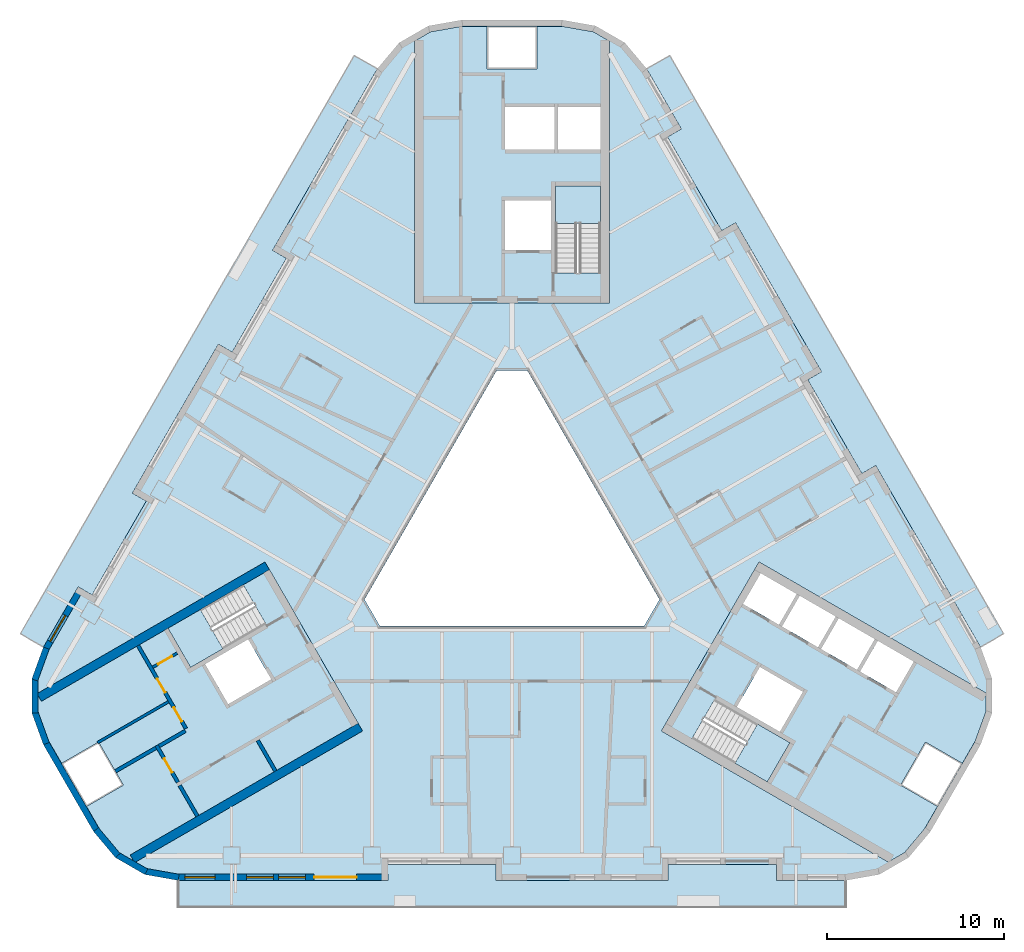
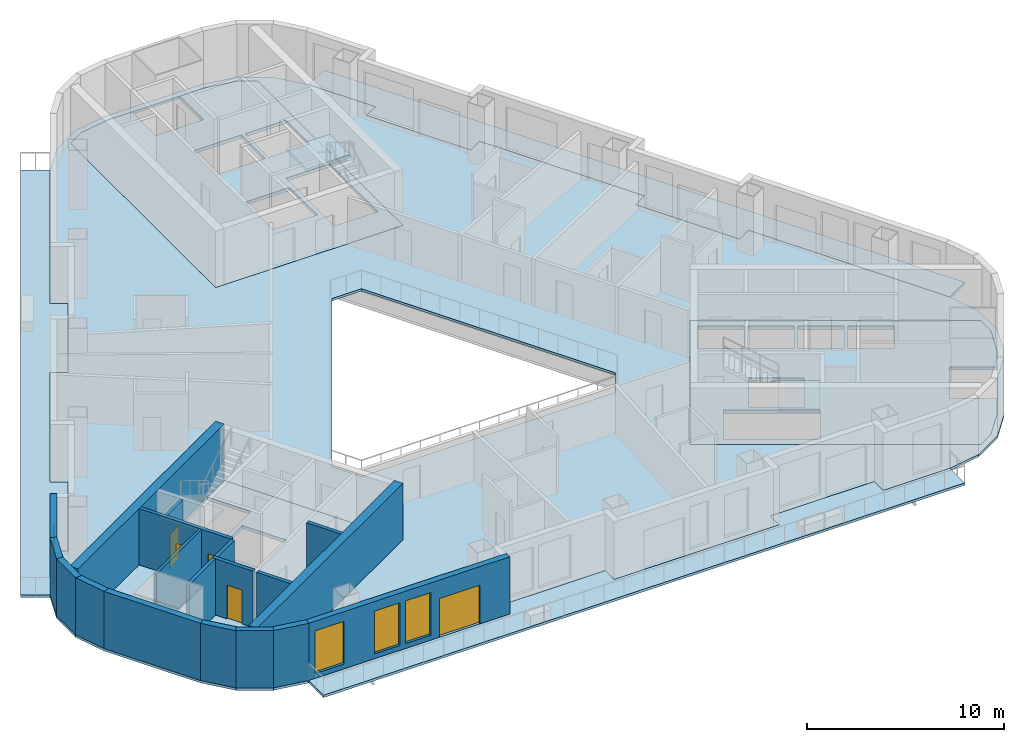
# One storey, part 2 of 13: 19 walls, 10 slabs, 5 doors, 4 windows, 9 openings, 3 elements without a shape of their own.
"""IFC4 building model written with IfcOpenShell, lengths in metres."""

import ifcopenshell
import ifcopenshell.guid

model = None  # the IFC model being written
_history = None  # IfcOwnerHistory: only IFC2X3 demands one
_inside = {}  # id of a spatial element -> (the spatial element, [elements in it])
_under = {}  # id of a project, library or spatial element -> (it, [spatial elements below it])
_declared = {}  # id of a project -> (the project, [libraries it declares])
_typed = {}  # id of a type object -> (the type object, [elements of that type])
_made_of = {}  # id of a material, layer set ... -> (it, [elements and type objects made of it])


def new_model(schema):
    """Start an empty IFC model of exactly this schema.

    Asked for "IFC4X3", IfcOpenShell would pick the latest addendum, in which some entities
    have other attributes; the version numbers below select the first issue.
    IFC2X3 requires an IfcOwnerHistory on every rooted entity: one is made here for all.
    """
    global model, _history
    if schema == "IFC4X3":
        model = ifcopenshell.file(schema_version=(4, 3, 0, 0))
    else:
        model = ifcopenshell.file(schema=schema)
    _inside.clear()
    _under.clear()
    _declared.clear()
    _typed.clear()
    _made_of.clear()
    _history = None
    if model.schema == "IFC2X3":
        org = make("IfcOrganization", Name="unknown")
        user = make(
            "IfcPersonAndOrganization",
            ThePerson=make("IfcPerson", FamilyName="unknown"),
            TheOrganization=org,
        )
        app = make(
            "IfcApplication",
            ApplicationDeveloper=org,
            Version="unknown",
            ApplicationFullName="unknown",
            ApplicationIdentifier="unknown",
        )
        _history = make(
            "IfcOwnerHistory",
            OwningUser=user,
            OwningApplication=app,
            ChangeAction="ADDED",
            CreationDate=0,
        )
    return model


def make(cls, **values):
    """One entity of the class cls with the attributes given. An attribute that is None is left unset."""
    return model.create_entity(
        cls, **{name: value for name, value in values.items() if value is not None}
    )


def rooted(cls, **values):
    """An entity with a GlobalId (a new one), such as an element, a storey or a relation."""
    return make(cls, GlobalId=ifcopenshell.guid.new(), OwnerHistory=_history, **values)


def si_unit(unit_type, name, prefix=None):
    """IfcSIUnit, for example si_unit("LENGTHUNIT", "METRE", prefix="MILLI")."""
    return make("IfcSIUnit", UnitType=unit_type, Prefix=prefix, Name=name)


def assignment(units):
    """IfcUnitAssignment: the units of a project."""
    return None if units is None else make("IfcUnitAssignment", Units=units)


def point(xyz):
    """IfcCartesianPoint."""
    return None if xyz is None else make("IfcCartesianPoint", Coordinates=xyz)


def direction(xyz):
    """IfcDirection."""
    return None if xyz is None else make("IfcDirection", DirectionRatios=xyz)


def frame(location, z_axis=None, x_axis=None):
    """IfcAxis2Placement3D, a coordinate frame: its origin and axes. An axis left out is left unset."""
    return make(
        "IfcAxis2Placement3D",
        Location=point(location),
        Axis=direction(z_axis),
        RefDirection=direction(x_axis),
    )


def frame_2d(location, x_axis=None):
    """IfcAxis2Placement2D, a coordinate frame in the plane: its origin and x axis."""
    return make(
        "IfcAxis2Placement2D", Location=point(location), RefDirection=direction(x_axis)
    )


def origin():
    """The frame at (0, 0, 0) with its axes left unset."""
    return frame((0.0, 0.0, 0.0))


def place(relative_to, where):
    """IfcLocalPlacement: puts the frame where relative to a parent placement (None: the world)."""
    return make(
        "IfcLocalPlacement", PlacementRelTo=relative_to, RelativePlacement=where
    )


def context(
    kind, dimensions, precision=None, world=None, true_north=None, identifier=None
):
    """IfcGeometricRepresentationContext, for example the 3D "Model" context."""
    return make(
        "IfcGeometricRepresentationContext",
        ContextIdentifier=identifier,
        ContextType=kind,
        CoordinateSpaceDimension=dimensions,
        Precision=precision,
        WorldCoordinateSystem=world,
        TrueNorth=true_north,
    )


def subcontext(parent, identifier, kind, view, scale=None):
    """IfcGeometricRepresentationSubContext, for example "Body" below "Model"."""
    return make(
        "IfcGeometricRepresentationSubContext",
        ContextIdentifier=identifier,
        ContextType=kind,
        ParentContext=parent,
        TargetScale=scale,
        TargetView=view,
    )


def project(units=None, contexts=None):
    """IfcProject with its units and contexts."""
    return rooted(
        "IfcProject",
        Name="project",
        RepresentationContexts=contexts,
        UnitsInContext=assignment(units),
    )


def spatial(cls, under=None, at=None, **own):
    """A site, building, storey or space (cls), placed at a placement, below another one or the project."""
    s = rooted(cls, ObjectPlacement=at, **own)
    if under is not None:
        _under.setdefault(under.id(), (under, []))[1].append(s)
    return s


def polyline(points):
    """IfcPolyline through the points."""
    return make("IfcPolyline", Points=[point(p) for p in points])


def profile(cls, at=None, kind="AREA", **sizes):
    """A parametric profile (cls). Its sizes go by their IFC names, for example OverallWidth=200.0."""
    return make(cls, ProfileType=kind, Position=at, **sizes)


def rectangle(**sizes):
    """IfcRectangleProfileDef."""
    return profile("IfcRectangleProfileDef", **sizes)


def outline(outer, holes=None, kind="AREA"):
    """IfcArbitraryClosedProfileDef: a profile drawn as a closed curve; with holes, ...WithVoids."""
    if holes is None:
        return make("IfcArbitraryClosedProfileDef", ProfileType=kind, OuterCurve=outer)
    return make(
        "IfcArbitraryProfileDefWithVoids",
        ProfileType=kind,
        OuterCurve=outer,
        InnerCurves=holes,
    )


def extrude(swept, where, along, depth):
    """IfcExtrudedAreaSolid: the profile swept, set in the frame where, extruded along a direction by depth."""
    return make(
        "IfcExtrudedAreaSolid",
        SweptArea=swept,
        Position=where,
        ExtrudedDirection=direction(along),
        Depth=depth,
    )


def shape(context_of_items, identifier, shape_type, items):
    """IfcShapeRepresentation: the items that make up one representation, for example the "Body"."""
    return make(
        "IfcShapeRepresentation",
        ContextOfItems=context_of_items,
        RepresentationIdentifier=identifier,
        RepresentationType=shape_type,
        Items=items,
    )


def material(Name=None, Category=None):
    """IfcMaterial."""
    return make("IfcMaterial", Name=Name, Category=Category)


def layer(
    of_material, thickness, ventilated=None, Name=None, Category=None, Priority=None
):
    """IfcMaterialLayer: one layer of a wall or slab, of a material (None: an air gap)."""
    return make(
        "IfcMaterialLayer",
        Material=of_material,
        LayerThickness=thickness,
        IsVentilated=ventilated,
        Name=Name,
        Category=Category,
        Priority=Priority,
    )


def layer_set(layers, Name=None):
    """IfcMaterialLayerSet."""
    return make("IfcMaterialLayerSet", MaterialLayers=layers, LayerSetName=Name)


def made_of(thing, what):
    """Note that an element or type object is made of a material, layer set ...; save() writes the relation."""
    if what is not None:
        _made_of.setdefault(what.id(), (what, []))[1].append(thing)
    return thing


def type_object(cls, material=None, **own):
    """A type object (cls), such as IfcWallType, which elements share."""
    return made_of(rooted(cls, **own), material)


def element(
    cls,
    number,
    at=None,
    inside=None,
    cuts=None,
    type_object=None,
    material=None,
    context=None,
    identifier="Body",
    shape_type=None,
    held_by="IfcProductDefinitionShape",
    body=None,
    shapes=None,
    **own,
):
    """One element of the class cls, such as IfcWall. Its Tag is "e" and its number.

    at: its placement. inside: the storey or other place that contains it. cuts: it is an
    opening in that element (IfcRelVoidsElement). A single representation is given by context,
    identifier, shape_type and body (its items); several are given by shapes. held_by: the class
    of the entity that holds the representations. save() writes the other relations.
    """
    e = rooted(cls, Tag="e%d" % number, ObjectPlacement=at, **own)
    if body is not None:
        shapes = [shape(context, identifier, shape_type, body)]
    if shapes is not None:
        e.Representation = make(held_by, Representations=shapes)
    if inside is not None:
        _inside.setdefault(inside.id(), (inside, []))[1].append(e)
    if cuts is not None:
        rooted(
            "IfcRelVoidsElement", RelatingBuildingElement=cuts, RelatedOpeningElement=e
        )
    if type_object is not None:
        _typed.setdefault(type_object.id(), (type_object, []))[1].append(e)
    return made_of(e, material)


def fill(opening, filler):
    """IfcRelFillsElement: the door or window that sits in an opening."""
    return rooted(
        "IfcRelFillsElement",
        RelatingOpeningElement=opening,
        RelatedBuildingElement=filler,
    )


def aggregate(whole, parts):
    """IfcRelAggregates: a whole, such as a stair, and the parts it consists of."""
    return rooted("IfcRelAggregates", RelatingObject=whole, RelatedObjects=parts)


def save(model, path):
    """Write the relations noted so far, then the file.

    IfcRelAggregates (storeys below a building ...), IfcRelContainedInSpatialStructure (elements
    in a storey), IfcRelDefinesByType, IfcRelAssociatesMaterial and IfcRelDeclares: one each for
    every whole, place, type object, material and project.
    """
    for whole, parts in _under.values():
        aggregate(whole, parts)
    for where, things in _inside.values():
        rooted(
            "IfcRelContainedInSpatialStructure",
            RelatedElements=things,
            RelatingStructure=where,
        )
    for kind, things in _typed.values():
        rooted("IfcRelDefinesByType", RelatedObjects=things, RelatingType=kind)
    for what, things in _made_of.values():
        rooted("IfcRelAssociatesMaterial", RelatedObjects=things, RelatingMaterial=what)
    for by, libraries in _declared.values():
        rooted("IfcRelDeclares", RelatingContext=by, RelatedDefinitions=libraries)
    model.write(path)


model = new_model("IFC4")

# Units and contexts
model_context = context("Model", 3, precision=1e-05, world=origin(), true_north=direction((0.0, 1.0)))
body_context = subcontext(model_context, "Body", "Model", "MODEL_VIEW")
ifc_project = project(units=[si_unit("LENGTHUNIT", "METRE"), si_unit("AREAUNIT", "SQUARE_METRE"), si_unit("VOLUMEUNIT", "CUBIC_METRE"), si_unit("PLANEANGLEUNIT", "RADIAN"), si_unit("MASSUNIT", "GRAM", prefix="KILO")], contexts=[model_context])

# Site, building, storey
site_placement = place(None, origin())
site = spatial("IfcSite", under=ifc_project, at=site_placement, CompositionType="ELEMENT")
building_placement = place(site_placement, origin())
building = spatial("IfcBuilding", under=site, at=building_placement, Name="Apuvela Tower Hotel", CompositionType="ELEMENT")
storey_placement = place(building_placement, frame((0.0, 0.0, 79.800048828125)))
storey = spatial("IfcBuildingStorey", under=building, at=storey_placement, Name="L17", CompositionType="ELEMENT", Elevation=79.800048828125)

# Slabs
ifc_material_1 = material(Name="Concrete C50/60", Category="concrete")
ifc_layer_1 = layer(ifc_material_1, 0.199951171875)
ifc_layer_set_1 = layer_set([ifc_layer_1], Name="COR-FLOOR-200")
slab_type_1 = type_object("IfcSlabType", Name="COR-FLOOR-200", PredefinedType="FLOOR", material=ifc_layer_set_1)
slab_1_placement = place(storey_placement, frame((0.0, 0.0, -0.199951171875)))
element("IfcSlab", 1, at=slab_1_placement, inside=storey, type_object=slab_type_1, Name="Core floor N", PredefinedType="FLOOR", context=body_context, shape_type="SweptSolid", body=[
    extrude(outline(polyline([(5.5, 27.668212890625), (4.588623046875, 28.1943359375), (2.85498046875, 28.5), (1.39990234375, 28.5), (1.39990234375, 26.10009765625), (-1.39990234375, 26.10009765625), (-1.39990234375, 28.5), (-2.85498046875, 28.5), (-4.588623046875, 28.1943359375), (-5.5, 27.668212890625), (-5.5, 12.89990234375), (5.5, 12.89990234375), (5.5, 27.668212890625)]), holes=[polyline([(5.0, 14.60595703125), (2.449951171875, 14.60595703125), (2.449951171875, 19.5), (5.0, 19.5), (5.0, 14.60595703125)]), polyline([(2.199951171875, 15.89990234375), (-0.39990234375, 15.89990234375), (-0.39990234375, 18.699951171875), (2.199951171875, 18.699951171875), (2.199951171875, 15.89990234375)]), polyline([(5.0, 21.550048828125), (2.60009765625, 21.550048828125), (2.60009765625, 23.949951171875), (5.0, 23.949951171875), (5.0, 21.550048828125)]), polyline([(2.39990234375, 21.550048828125), (-0.39990234375, 21.550048828125), (-0.39990234375, 23.949951171875), (2.39990234375, 23.949951171875), (2.39990234375, 21.550048828125)])]), origin(), (0.0, 0.0, 1.0), 0.199951171875),
])
slab_2_placement = place(storey_placement, frame((0.0, 0.0, -0.199951171875)))
element("IfcSlab", 2, at=slab_2_placement, inside=storey, type_object=slab_type_1, Name="Core floor SW", PredefinedType="FLOOR", context=body_context, shape_type="SweptSolid", body=[
    extrude(outline(polyline([(-26.711181640625, -9.07080078125), (-26.711181640625, -10.123291015625), (-26.109375, -11.77734375), (-25.381591796875, -13.03759765625), (-23.30322265625, -11.837646484375), (-21.9033203125, -14.262451171875), (-23.981689453125, -15.46240234375), (-23.254150390625, -16.72265625), (-22.122802734375, -18.071044921875), (-21.211181640625, -18.59716796875), (-8.421630859375, -11.213134765625), (-13.921630859375, -1.68701171875), (-26.711181640625, -9.07080078125)]), holes=[polyline([(-13.874267578125, -5.18115234375), (-18.112548828125, -7.628173828125), (-19.387451171875, -5.419921875), (-15.149169921875, -2.972900390625), (-13.874267578125, -5.18115234375)]), polyline([(-13.56982421875, -8.29638671875), (-15.99462890625, -9.6962890625), (-17.294677734375, -7.444580078125), (-14.869873046875, -6.044677734375), (-13.56982421875, -8.29638671875)])]), origin(), (0.0, 0.0, 1.0), 0.199951171875),
])
slab_3_placement = place(storey_placement, frame((0.0, 0.0, -0.199951171875)))
element("IfcSlab", 3, at=slab_3_placement, inside=storey, type_object=slab_type_1, Name="Core floor SE", PredefinedType="FLOOR", context=body_context, shape_type="SweptSolid", body=[
    extrude(outline(polyline([(21.211181640625, -18.59716796875), (22.122802734375, -18.071044921875), (23.254150390625, -16.72265625), (23.981689453125, -15.46240234375), (21.9033203125, -14.262451171875), (23.30322265625, -11.837646484375), (25.381591796875, -13.03759765625), (26.109375, -11.77734375), (26.711181640625, -10.123291015625), (26.711181640625, -9.07080078125), (13.921630859375, -1.68701171875), (8.421630859375, -11.213134765625), (21.211181640625, -18.59716796875)]), holes=[polyline([(13.01806640625, -4.052001953125), (14.01806640625, -2.31982421875), (16.044677734375, -3.489990234375), (15.044677734375, -5.221923828125), (13.01806640625, -4.052001953125)]), polyline([(17.244384765625, -6.491943359375), (15.2177734375, -5.322021484375), (16.2177734375, -3.58984375), (18.244384765625, -4.760009765625), (17.244384765625, -6.491943359375)]), polyline([(14.387451171875, -14.080078125), (10.149169921875, -11.633056640625), (11.42431640625, -9.4248046875), (15.66259765625, -11.871826171875), (14.387451171875, -14.080078125)]), polyline([(12.669921875, -9.855224609375), (13.9697265625, -7.603515625), (16.394775390625, -9.003662109375), (15.0947265625, -11.25537109375), (12.669921875, -9.855224609375)]), polyline([(19.444091796875, -7.761962890625), (17.41748046875, -6.591796875), (18.41748046875, -4.85986328125), (20.444091796875, -6.02978515625), (19.444091796875, -7.761962890625)]), polyline([(21.643798828125, -9.031982421875), (19.6171875, -7.86181640625), (20.6171875, -6.1298828125), (22.643798828125, -7.2998046875), (21.643798828125, -9.031982421875)])]), origin(), (0.0, 0.0, 1.0), 0.199951171875),
])

# Stair, slab
stair_type = type_object("IfcStairType", Name="COR-STAIR-22R", PredefinedType="HALF_TURN_STAIR", material=ifc_material_1)
stair_1_placement = place(storey_placement, origin())
stair_1 = element("IfcStair", 4, at=stair_1_placement, inside=storey, type_object=stair_type, Name="L17 Exit stair ST1", PredefinedType="HALF_TURN_STAIR")
ifc_layer_2 = layer(ifc_material_1, 0.199951171875)
ifc_layer_set_2 = layer_set([ifc_layer_2], Name="COR-LANDING-200")
slab_type_2 = type_object("IfcSlabType", Name="COR-LANDING-200", PredefinedType="LANDING", material=ifc_layer_set_2)
slab_4_placement = place(storey_placement, frame((0.0, 0.0, 1.64990234375)))
slab_4 = element("IfcSlab", 5, at=slab_4_placement, type_object=slab_type_2, Name="ST1 landing 1", PredefinedType="LANDING", context=body_context, shape_type="SweptSolid", body=[
    extrude(outline(polyline([(5.0, 17.39404296875), (5.0, 19.5), (2.449951171875, 19.5), (2.449951171875, 17.39404296875), (5.0, 17.39404296875)])), origin(), (0.0, 0.0, 1.0), 0.199951171875),
])
aggregate(stair_1, [slab_4])

stair_2_placement = place(storey_placement, origin())
stair_2 = element("IfcStair", 6, at=stair_2_placement, inside=storey, type_object=stair_type, Name="L17 Exit stair ST2", PredefinedType="HALF_TURN_STAIR")
slab_5_placement = place(storey_placement, frame((0.0, 0.0, 1.64990234375)))
slab_5 = element("IfcSlab", 7, at=slab_5_placement, type_object=slab_type_2, Name="ST2 landing 1", PredefinedType="LANDING", context=body_context, shape_type="SweptSolid", body=[
    extrude(outline(polyline([(-17.563720703125, -4.366943359375), (-19.387451171875, -5.419921875), (-18.112548828125, -7.628173828125), (-16.28857421875, -6.5751953125), (-17.563720703125, -4.366943359375)])), origin(), (0.0, 0.0, 1.0), 0.199951171875),
])
aggregate(stair_2, [slab_5])

stair_3_placement = place(storey_placement, origin())
stair_3 = element("IfcStair", 8, at=stair_3_placement, inside=storey, type_object=stair_type, Name="L17 Exit stair ST3", PredefinedType="HALF_TURN_STAIR")
slab_6_placement = place(storey_placement, frame((0.0, 0.0, 1.64990234375)))
slab_6 = element("IfcSlab", 9, at=slab_6_placement, type_object=slab_type_2, Name="ST3 landing 1", PredefinedType="LANDING", context=body_context, shape_type="SweptSolid", body=[
    extrude(outline(polyline([(12.563720703125, -13.027099609375), (14.387451171875, -14.080078125), (15.66259765625, -11.871826171875), (13.838623046875, -10.81884765625), (12.563720703125, -13.027099609375)])), origin(), (0.0, 0.0, 1.0), 0.199951171875),
])
aggregate(stair_3, [slab_6])

# Slabs
ifc_material_2 = material(Name="Concrete C40/50, fair-faced", Category="concrete")
ifc_layer_3 = layer(ifc_material_2, 0.14990234375)
ifc_layer_set_3 = layer_set([ifc_layer_3], Name="ENV-BALCONY-150")
slab_type_3 = type_object("IfcSlabType", Name="ENV-BALCONY-150", PredefinedType="FLOOR", material=ifc_layer_set_3)
slab_7_placement = place(storey_placement, frame((0.0, 0.0, -0.150146484375)))
element("IfcSlab", 10, at=slab_7_placement, inside=storey, type_object=slab_type_3, Name="Balcony slab S L17", PredefinedType="FLOOR", context=body_context, shape_type="SweptSolid", body=[
    extrude(outline(polyline([(18.82080078125, -21.135009765625), (-18.82080078125, -21.135009765625), (-18.82080078125, -19.625), (-7.0048828125, -19.625), (-7.0048828125, -18.72509765625), (-0.89501953125, -18.72509765625), (-0.89501953125, -19.625), (8.794921875, -19.625), (8.794921875, -18.72509765625), (14.905029296875, -18.72509765625), (14.905029296875, -19.625), (18.82080078125, -19.625), (18.82080078125, -21.135009765625)])), origin(), (0.0, 0.0, 1.0), 0.150146484375),
])
slab_8_placement = place(storey_placement, frame((0.0, 0.0, -0.150146484375)))
element("IfcSlab", 11, at=slab_8_placement, inside=storey, type_object=slab_type_3, Name="Balcony slab NE L17", PredefinedType="FLOOR", context=body_context, shape_type="SweptSolid", body=[
    extrude(outline(polyline([(17.443359375, 9.037353515625), (12.598388671875, 17.42919921875), (11.81884765625, 16.979248046875), (8.763916015625, 22.2705078125), (9.543212890625, 22.720703125), (7.585205078125, 26.11181640625), (8.89306640625, 26.86669921875), (27.7138671875, -5.731689453125), (26.40625, -6.48681640625), (20.498291015625, 3.74609375), (19.71875, 3.2958984375), (16.663818359375, 8.58740234375), (17.443359375, 9.037353515625)])), origin(), (0.0, 0.0, 1.0), 0.150146484375),
])
slab_9_placement = place(storey_placement, frame((0.0, 0.0, -0.150146484375)))
element("IfcSlab", 12, at=slab_9_placement, inside=storey, type_object=slab_type_3, Name="Balcony slab NW L17", PredefinedType="FLOOR", context=body_context, shape_type="SweptSolid", body=[
    extrude(outline(polyline([(-27.7138671875, -5.731689453125), (-8.89306640625, 26.86669921875), (-7.585205078125, 26.11181640625), (-13.4931640625, 15.87890625), (-12.7138671875, 15.428955078125), (-15.768798828125, 10.1376953125), (-16.548095703125, 10.587646484375), (-21.393310546875, 2.19580078125), (-20.61376953125, 1.745849609375), (-23.668701171875, -3.545654296875), (-24.4482421875, -3.095703125), (-26.40625, -6.48681640625), (-27.7138671875, -5.731689453125)])), origin(), (0.0, 0.0, 1.0), 0.150146484375),
])
ifc_material_3 = material(Name="Concrete C35/45", Category="concrete")
ifc_layer_4 = layer(ifc_material_3, 0.14990234375)
ifc_layer_set_4 = layer_set([ifc_layer_4], Name="STR-SLAB 150 floor Concrete C35/45")
slab_type_4 = type_object("IfcSlabType", Name="STR-SLAB 150 floor Concrete C35/45", PredefinedType="FLOOR", material=ifc_layer_set_4)
slab_10_placement = place(storey_placement, frame((0.0, 0.0, -0.150146484375)))
element("IfcSlab", 13, at=slab_10_placement, inside=storey, type_object=slab_type_4, Name="Floor slab S4 L17", PredefinedType="FLOOR", context=body_context, shape_type="SweptSolid", body=[
    extrude(outline(polyline([(-6.3642578125, 27.5732421875), (-4.710205078125, 28.5283203125), (-2.8291015625, 28.860107421875), (2.8291015625, 28.860107421875), (4.710205078125, 28.5283203125), (6.3642578125, 27.5732421875), (7.59228515625, 26.110107421875), (9.550048828125, 22.71875), (8.770751953125, 22.268798828125), (11.82080078125, 16.986083984375), (12.60009765625, 17.43603515625), (17.4501953125, 9.035400390625), (16.670654296875, 8.58544921875), (19.720703125, 3.302734375), (20.5, 3.752685546875), (26.407958984375, -6.47998046875), (27.061279296875, -8.27490234375), (27.061279296875, -10.18505859375), (26.407958984375, -11.97998046875), (23.5791015625, -16.8798828125), (22.351318359375, -18.34326171875), (20.697021484375, -19.29833984375), (18.81591796875, -19.6298828125), (14.89990234375, -19.6298828125), (14.89990234375, -18.72998046875), (8.800048828125, -18.72998046875), (8.800048828125, -19.6298828125), (-0.89990234375, -19.6298828125), (-0.89990234375, -18.72998046875), (-7.0, -18.72998046875), (-7.0, -19.6298828125), (-18.81591796875, -19.6298828125), (-20.697021484375, -19.29833984375), (-22.351318359375, -18.34326171875), (-23.5791015625, -16.8798828125), (-26.407958984375, -11.97998046875), (-27.061279296875, -10.18505859375), (-27.061279296875, -8.27490234375), (-26.407958984375, -6.47998046875), (-24.4501953125, -3.088623046875), (-23.670654296875, -3.538818359375), (-20.62060546875, 1.743896484375), (-21.400146484375, 2.194091796875), (-16.550048828125, 10.594482421875), (-15.7705078125, 10.14453125), (-12.720703125, 15.42724609375), (-13.5, 15.877197265625), (-7.59228515625, 26.110107421875), (-6.3642578125, 27.5732421875)]), holes=[polyline([(0.865966796875, 9.10009765625), (-0.865966796875, 9.10009765625), (-8.313720703125, -3.800048828125), (-7.44775390625, -5.300048828125), (7.44775390625, -5.300048828125), (8.313720703125, -3.800048828125), (0.865966796875, 9.10009765625)]), polyline([(-5.5, 12.89990234375), (-5.5, 27.668212890625), (-4.588623046875, 28.1943359375), (-2.85498046875, 28.5), (2.85498046875, 28.5), (4.588623046875, 28.1943359375), (5.5, 27.668212890625), (5.5, 12.89990234375), (-5.5, 12.89990234375)]), polyline([(-8.421630859375, -11.213134765625), (-21.211181640625, -18.59716796875), (-22.122802734375, -18.071044921875), (-23.254150390625, -16.72265625), (-26.109375, -11.77734375), (-26.711181640625, -10.123291015625), (-26.711181640625, -9.07080078125), (-13.921630859375, -1.68701171875), (-8.421630859375, -11.213134765625)]), polyline([(13.921630859375, -1.68701171875), (26.711181640625, -9.07080078125), (26.711181640625, -10.123291015625), (26.109375, -11.77734375), (23.254150390625, -16.72265625), (22.122802734375, -18.071044921875), (21.211181640625, -18.59716796875), (8.421630859375, -11.213134765625), (13.921630859375, -1.68701171875)])]), origin(), (0.0, 0.0, 1.0), 0.150146484375),
])

# Walls
ifc_layer_5 = layer(ifc_material_1, 0.5)
ifc_layer_set_5 = layer_set([ifc_layer_5], Name="COR-WALL-CORE-500")
wall_type_1 = type_object("IfcWallType", Name="COR-WALL-CORE-500", PredefinedType="SHEAR", material=ifc_layer_set_5)
for number, where, z_axis, x_axis, name in (
    (14, (-13.796630859375, -1.9033203125, 0.0), (0.0, 0.0, 1.0), (-0.866025009528, -0.500000682871, 0.0), "Core wall SW"),
    (15, (-8.546630859375, -10.99658203125, 0.0), (0.0, 0.0, 1.0), (-0.866025009528, -0.500000682871, 0.0), "Core wall SW"),
):
    element("IfcWall", number, at=place(storey_placement, frame(where, z_axis=z_axis, x_axis=x_axis)), inside=storey, type_object=wall_type_1, Name=name, PredefinedType="SHEAR", context=body_context, shape_type="SweptSolid", body=[
        extrude(rectangle(XDim=14.8369140625, YDim=0.5, at=frame_2d((7.41845703125, 0.0))), origin(), (0.0, 0.0, 1.0), 3.5),
    ])

# Wall, opening, door
ifc_material_4 = material(Name="Blockwork 150 mm plastered", Category="masonry")
ifc_layer_6 = layer(ifc_material_4, 0.14990234375)
ifc_layer_set_6 = layer_set([ifc_layer_6], Name="COR-WALL-PART-150")
wall_type_2 = type_object("IfcWallType", Name="COR-WALL-PART-150", PredefinedType="PARTITIONING", material=ifc_layer_set_6)
wall_1_placement = place(storey_placement, frame((-18.866455078125, -6.822265625, 0.0), z_axis=(0.0, 0.0, 1.0), x_axis=(-0.866028054938, -0.499995408039, 0.0)))
wall_1 = element("IfcWall", 16, at=wall_1_placement, inside=storey, type_object=wall_type_2, Name="Partition SW", PredefinedType="PARTITIONING", context=body_context, shape_type="SweptSolid", body=[
    extrude(rectangle(XDim=1.60009765625, YDim=0.14990234375, at=frame_2d((0.800048828125, 0.0))), origin(), (0.0, 0.0, 1.0), 3.5),
])
opening_1_placement = place(wall_1_placement, frame((0.35009765625, 0.0, 0.0)))
opening_1 = element("IfcOpeningElement", 17, at=opening_1_placement, cuts=wall_1, Name="Opening W-RD", PredefinedType="OPENING", context=body_context, shape_type="SweptSolid", body=[
    extrude(rectangle(XDim=0.89990234375, YDim=2.10009765625, at=frame_2d((0.449951171875, 1.050048828125))), frame((0.0, 0.0849609375, 0.0), z_axis=(0.0, -1.0, 0.0), x_axis=(1.0, 0.0, 0.0)), (0.0, 0.0, 1.0), 0.169921875),
])
ifc_material_5 = material(Name="Steel access door, powder coated", Category="steel")
door_type_1 = type_object("IfcDoorType", Name="COR-RD-900", OperationType="NOTDEFINED", PredefinedType="DOOR", material=ifc_material_5)
door_1_placement = place(opening_1_placement, frame((0.89990234375, 0.0, 0.0), z_axis=(0.0, 0.0, 1.0), x_axis=(-1.0, 0.0, 0.0)))
door_1 = element("IfcDoor", 18, at=door_1_placement, inside=storey, type_object=door_type_1, Name="Riser door W-RD", OperationType="SINGLE_SWING_RIGHT", OverallHeight=2.10009765625, OverallWidth=0.89990234375, PredefinedType="DOOR", context=body_context, shape_type="SweptSolid", body=[
    extrude(rectangle(XDim=0.89990234375, YDim=2.10009765625, at=frame_2d((0.449951171875, 1.050048828125))), frame((0.0, 0.02490234375, 0.0), z_axis=(0.0, -1.0, 0.0), x_axis=(1.0, 0.0, 0.0)), (0.0, 0.0, 1.0), 0.050048828125),
])
fill(opening_1, door_1)

# Wall
wall_2_placement = place(storey_placement, frame((-19.36279296875, -9.5625, 0.0), z_axis=(0.0, 0.0, 1.0), x_axis=(-0.86601185002, -0.500023475074, 0.0)))
element("IfcWall", 19, at=wall_2_placement, inside=storey, type_object=wall_type_2, Name="Partition SW", PredefinedType="PARTITIONING", context=body_context, shape_type="SweptSolid", body=[
    extrude(rectangle(XDim=4.610107421875, YDim=0.14990234375, at=frame_2d((2.30517578125, 0.0))), origin(), (0.0, 0.0, 1.0), 3.5),
])

# Wall, openings, doors
ifc_material_6 = material(Name="Blockwork 200 mm plastered", Category="masonry")
ifc_layer_7 = layer(ifc_material_6, 0.199951171875)
ifc_layer_set_7 = layer_set([ifc_layer_7], Name="COR-WALL-PART-200")
wall_type_3 = type_object("IfcWallType", Name="COR-WALL-PART-200", PredefinedType="PARTITIONING", material=ifc_layer_set_7)
wall_3_placement = place(storey_placement, frame((-21.076171875, -6.39501953125, 0.0), z_axis=(0.0, 0.0, 1.0), x_axis=(0.50001468107, -0.866016927499, 0.0)))
wall_3 = element("IfcWall", 20, at=wall_3_placement, inside=storey, type_object=wall_type_3, Name="Partition SW", PredefinedType="PARTITIONING", context=body_context, shape_type="SweptSolid", body=[
    extrude(rectangle(XDim=5.399658203125, YDim=0.199951171875, at=frame_2d((2.69970703125, 0.0))), origin(), (0.0, 0.0, 1.0), 3.5),
])
opening_2_placement = place(wall_3_placement, frame((2.16259765625, 0.0, 0.0)))
opening_2 = element("IfcOpeningElement", 21, at=opening_2_placement, cuts=wall_3, Name="Opening W-RS1", PredefinedType="OPENING", context=body_context, shape_type="SweptSolid", body=[
    extrude(rectangle(XDim=0.89990234375, YDim=2.10009765625, at=frame_2d((0.449951171875, 1.050048828125))), frame((0.0, 0.10986328125, 0.0), z_axis=(0.0, -1.0, 0.0), x_axis=(1.0, 0.0, 0.0)), (0.0, 0.0, 1.0), 0.219970703125),
])
opening_3_placement = place(wall_3_placement, frame((4.03759765625, 0.0, 0.0)))
opening_3 = element("IfcOpeningElement", 22, at=opening_3_placement, cuts=wall_3, Name="Opening W-RS2", PredefinedType="OPENING", context=body_context, shape_type="SweptSolid", body=[
    extrude(rectangle(XDim=0.89990234375, YDim=2.10009765625, at=frame_2d((0.449951171875, 1.050048828125))), frame((0.0, 0.10986328125, 0.0), z_axis=(0.0, -1.0, 0.0), x_axis=(1.0, 0.0, 0.0)), (0.0, 0.0, 1.0), 0.219970703125),
])
ifc_material_7 = material(Name="Steel fire door, powder coated", Category="steel")
door_type_2 = type_object("IfcDoorType", Name="COR-DR-900", OperationType="NOTDEFINED", PredefinedType="DOOR", material=ifc_material_7)
door_2_placement = place(opening_2_placement, frame((0.89990234375, 0.0, 0.0), z_axis=(0.0, 0.0, 1.0), x_axis=(-1.0, 0.0, 0.0)))
door_2 = element("IfcDoor", 23, at=door_2_placement, inside=storey, type_object=door_type_2, Name="Store door W-RS1", OperationType="SINGLE_SWING_LEFT", OverallHeight=2.10009765625, OverallWidth=0.89990234375, PredefinedType="DOOR", context=body_context, shape_type="SweptSolid", body=[
    extrude(rectangle(XDim=0.89990234375, YDim=2.10009765625, at=frame_2d((0.449951171875, 1.050048828125))), frame((0.0, 0.02490234375, 0.0), z_axis=(0.0, -1.0, 0.0), x_axis=(1.0, 0.0, 0.0)), (0.0, 0.0, 1.0), 0.050048828125),
])
fill(opening_2, door_2)
door_3_placement = place(opening_3_placement, frame((0.89990234375, 0.0, 0.0), z_axis=(0.0, 0.0, 1.0), x_axis=(-1.0, 0.0, 0.0)))
door_3 = element("IfcDoor", 24, at=door_3_placement, inside=storey, type_object=door_type_2, Name="Store door W-RS2", OperationType="SINGLE_SWING_LEFT", OverallHeight=2.10009765625, OverallWidth=0.89990234375, PredefinedType="DOOR", context=body_context, shape_type="SweptSolid", body=[
    extrude(rectangle(XDim=0.89990234375, YDim=2.10009765625, at=frame_2d((0.449951171875, 1.050048828125))), frame((0.0, 0.02490234375, 0.0), z_axis=(0.0, -1.0, 0.0), x_axis=(1.0, 0.0, 0.0)), (0.0, 0.0, 1.0), 0.050048828125),
])
fill(opening_3, door_3)

# Wall, opening, door
ifc_layer_8 = layer(ifc_material_1, 0.199951171875)
ifc_layer_set_8 = layer_set([ifc_layer_8], Name="COR-WALL-SHAFT-200")
wall_type_4 = type_object("IfcWallType", Name="COR-WALL-SHAFT-200", PredefinedType="SHEAR", material=ifc_layer_set_8)
wall_4_placement = place(storey_placement, frame((-20.030517578125, -12.0263671875, 0.0), z_axis=(0.0, 0.0, 1.0), x_axis=(0.500033551112, -0.866006032174, 0.0)))
wall_4 = element("IfcWall", 25, at=wall_4_placement, inside=storey, type_object=wall_type_4, Name="Shaft wall SW", PredefinedType="SHEAR", context=body_context, shape_type="SweptSolid", body=[
    extrude(rectangle(XDim=2.400146484375, YDim=0.199951171875, at=frame_2d((1.2001953125, 0.0))), origin(), (0.0, 0.0, 1.0), 3.5),
])
opening_4_placement = place(wall_4_placement, frame((0.85009765625, 0.0, 0.0)))
opening_4 = element("IfcOpeningElement", 26, at=opening_4_placement, cuts=wall_4, Name="Opening W-REP", PredefinedType="OPENING", context=body_context, shape_type="SweptSolid", body=[
    extrude(rectangle(XDim=0.89990234375, YDim=2.10009765625, at=frame_2d((0.449951171875, 1.050048828125))), frame((0.0, 0.10986328125, 0.0), z_axis=(0.0, -1.0, 0.0), x_axis=(1.0, 0.0, 0.0)), (0.0, 0.0, 1.0), 0.219970703125),
])
door_4_placement = place(opening_4_placement, frame((0.89990234375, 0.0, 0.0), z_axis=(0.0, 0.0, 1.0), x_axis=(-1.0, 0.0, 0.0)))
door_4 = element("IfcDoor", 27, at=door_4_placement, inside=storey, type_object=door_type_2, Name="Store door W-REP", OperationType="SINGLE_SWING_LEFT", OverallHeight=2.10009765625, OverallWidth=0.89990234375, PredefinedType="DOOR", context=body_context, shape_type="SweptSolid", body=[
    extrude(rectangle(XDim=0.89990234375, YDim=2.10009765625, at=frame_2d((0.449951171875, 1.050048828125))), frame((0.0, 0.02490234375, 0.0), z_axis=(0.0, -1.0, 0.0), x_axis=(1.0, 0.0, 0.0)), (0.0, 0.0, 1.0), 0.050048828125),
])
fill(opening_4, door_4)

# Walls
wall_5_placement = place(storey_placement, frame((-18.412841796875, -11.2080078125, 0.0), z_axis=(0.0, 0.0, 1.0), x_axis=(-0.866038183914, -0.499977863513, 0.0)))
element("IfcWall", 28, at=wall_5_placement, inside=storey, type_object=wall_type_4, Name="Shaft wall SW", PredefinedType="SHEAR", context=body_context, shape_type="SweptSolid", body=[
    extrude(rectangle(XDim=1.7099609375, YDim=0.199951171875, at=frame_2d((0.85498046875, 0.0))), origin(), (0.0, 0.0, 1.0), 3.5),
])
for number, where, z_axis, x_axis, name in (
    (29, (-14.330810546875, -11.738037109375, 0.0), (0.0, 0.0, 1.0), (0.499972520799, -0.866041268327, 0.0), "Shaft wall SW"),
    (30, (-18.73046875, -14.278076171875, 0.0), (0.0, 0.0, 1.0), (0.50002537861, -0.866010750942, 0.0), "Shaft wall SW"),
):
    element("IfcWall", number, at=place(storey_placement, frame(where, z_axis=z_axis, x_axis=x_axis)), inside=storey, type_object=wall_type_4, Name=name, PredefinedType="SHEAR", context=body_context, shape_type="SweptSolid", body=[
        extrude(rectangle(XDim=2.0, YDim=0.199951171875, at=frame_2d((1.0, 0.0))), origin(), (0.0, 0.0, 1.0), 3.5),
    ])
wall_6_placement = place(storey_placement, frame((-20.06689453125, -12.1630859375, 0.0), z_axis=(0.0, 0.0, 1.0), x_axis=(-0.866060851709, -0.499938597367, 0.0)))
element("IfcWall", 31, at=wall_6_placement, inside=storey, type_object=wall_type_4, Name="Shaft wall SW", PredefinedType="SHEAR", context=body_context, shape_type="SweptSolid", body=[
    extrude(rectangle(XDim=2.639892578125, YDim=0.199951171875, at=frame_2d((1.31982421875, 0.0))), origin(), (0.0, 0.0, 1.0), 3.5),
])

# Wall, opening, window
ifc_material_8 = material(Name="Concrete C40/50, dark pigmented precast panel", Category="concrete")
ifc_layer_9 = layer(ifc_material_8, 0.35009765625)
ifc_layer_set_9 = layer_set([ifc_layer_9], Name="ENV-WALL-350")
wall_type_5 = type_object("IfcWallType", Name="ENV-WALL-350", PredefinedType="SOLIDWALL", material=ifc_layer_set_9)
wall_7_placement = place(storey_placement, frame((-24.298583984375, -3.17626953125, 0.0), z_axis=(0.0, 0.0, 1.0), x_axis=(-0.500028278809, -0.866009076391, 0.0)))
wall_7 = element("IfcWall", 32, at=wall_7_placement, inside=storey, type_object=wall_type_5, Name="External wall L17-09", PredefinedType="SOLIDWALL", context=body_context, shape_type="SweptSolid", body=[
    extrude(rectangle(XDim=3.915771484375, YDim=0.35009765625, at=frame_2d((1.9580078125, 0.0))), origin(), (0.0, 0.0, 1.0), 3.550048828125),
])
opening_5_placement = place(wall_7_placement, frame((1.750244140625, 0.0, 0.300048828125)))
opening_5 = element("IfcOpeningElement", 33, at=opening_5_placement, cuts=wall_7, Name="Opening WN17", PredefinedType="OPENING", context=body_context, shape_type="SweptSolid", body=[
    extrude(rectangle(XDim=1.699951171875, YDim=2.64990234375, at=frame_2d((0.85009765625, 1.324951171875))), frame((0.0, 0.18505859375, 0.0), z_axis=(0.0, -1.0, 0.0), x_axis=(1.0, 0.0, 0.0)), (0.0, 0.0, 1.0), 0.3701171875),
])
ifc_material_9 = material(Name="Glass, dark tinted laminated insulated glazing unit", Category="glass")
window_type_1 = type_object("IfcWindowType", Name="ENV-WIN-1700x2650", PartitioningType="SINGLE_PANEL", PredefinedType="WINDOW", material=ifc_material_9)
window_1_placement = place(opening_5_placement, origin())
window_1 = element("IfcWindow", 34, at=window_1_placement, inside=storey, type_object=window_type_1, Name="Window WN17", OverallHeight=2.64990234375, OverallWidth=1.699951171875, PartitioningType="SINGLE_PANEL", PredefinedType="WINDOW", context=body_context, shape_type="SweptSolid", body=[
    extrude(rectangle(XDim=1.699951171875, YDim=2.64990234375, at=frame_2d((0.85009765625, 1.324951171875))), frame((0.0, 0.030029296875, 0.0), z_axis=(0.0, -1.0, 0.0), x_axis=(1.0, 0.0, 0.0)), (0.0, 0.0, 1.0), 0.06005859375),
])
fill(opening_5, window_1)

# Walls
for number, where, z_axis, x_axis, name in (
    (35, (-26.24365234375, -6.539794921875, 0.0), (0.0, 0.0, 1.0), (-0.342030395486, -0.939688889242, 0.0), "External wall L17-10"),
    (36, (-26.88623046875, -8.27490234375, 0.0), (0.0, 0.0, 1.0), (0.0, -1.0, 0.0), "External wall L17-11"),
    (37, (-26.89697265625, -10.125244140625, 0.0), (0.0, 0.0, 1.0), (0.342030395486, -0.939688889242, 0.0), "External wall L17-12"),
):
    element("IfcWall", number, at=place(storey_placement, frame(where, z_axis=z_axis, x_axis=x_axis)), inside=storey, type_object=wall_type_5, Name=name, PredefinedType="SOLIDWALL", context=body_context, shape_type="SweptSolid", body=[
        extrude(rectangle(XDim=1.91015625, YDim=0.35009765625, at=frame_2d((0.955078125, 0.0))), origin(), (0.0, 0.0, 1.0), 3.550048828125),
    ])
wall_8_placement = place(storey_placement, frame((-26.256591796875, -11.892578125, 0.0), z_axis=(0.0, 0.0, 1.0), x_axis=(0.500018773155, -0.866014564827, 0.0)))
element("IfcWall", 38, at=wall_8_placement, inside=storey, type_object=wall_type_5, Name="External wall L17-13", PredefinedType="SOLIDWALL", context=body_context, shape_type="SweptSolid", body=[
    extrude(rectangle(XDim=5.657958984375, YDim=0.35009765625, at=frame_2d((2.8291015625, 0.0))), origin(), (0.0, 0.0, 1.0), 3.550048828125),
])
for number, where, z_axis, x_axis, name in (
    (39, (-23.44482421875, -16.767578125, 0.0), (0.0, 0.0, 1.0), (0.642733291068, -0.76609001857, 0.0), "External wall L17-14"),
    (40, (-22.263671875, -18.191650390625, 0.0), (0.0, 0.0, 1.0), (0.866000389056, -0.500043324278, 0.0), "External wall L17-15"),
):
    element("IfcWall", number, at=place(storey_placement, frame(where, z_axis=z_axis, x_axis=x_axis)), inside=storey, type_object=wall_type_5, Name=name, PredefinedType="SOLIDWALL", context=body_context, shape_type="SweptSolid", body=[
        extrude(rectangle(XDim=1.909912109375, YDim=0.35009765625, at=frame_2d((0.955078125, 0.0))), origin(), (0.0, 0.0, 1.0), 3.550048828125),
    ])
wall_9_placement = place(storey_placement, frame((-20.66650390625, -19.1259765625, 0.0), z_axis=(0.0, 0.0, 1.0), x_axis=(0.984798995425, -0.173697837091, 0.0)))
element("IfcWall", 41, at=wall_9_placement, inside=storey, type_object=wall_type_5, Name="External wall L17-16", PredefinedType="SOLIDWALL", context=body_context, shape_type="SweptSolid", body=[
    extrude(rectangle(XDim=1.91015625, YDim=0.35009765625, at=frame_2d((0.955078125, 0.0))), origin(), (0.0, 0.0, 1.0), 3.550048828125),
])

# Wall, openings, door, windows
wall_10_placement = place(storey_placement, frame((-18.81591796875, -19.455078125, 0.0), z_axis=(0.0, 0.0, 1.0), x_axis=(1.0, 0.0, 0.0)))
wall_10 = element("IfcWall", 42, at=wall_10_placement, inside=storey, type_object=wall_type_5, Name="External wall L17-17", PredefinedType="SOLIDWALL", context=body_context, shape_type="SweptSolid", body=[
    extrude(rectangle(XDim=11.81591796875, YDim=0.35009765625, at=frame_2d((5.907958984375, 0.0))), origin(), (0.0, 0.0, 1.0), 3.550048828125),
])
opening_6_placement = place(wall_10_placement, frame((0.380615234375, 0.0, 0.300048828125)))
opening_6 = element("IfcOpeningElement", 43, at=opening_6_placement, cuts=wall_10, Name="Opening WN17", PredefinedType="OPENING", context=body_context, shape_type="SweptSolid", body=[
    extrude(rectangle(XDim=1.699951171875, YDim=2.64990234375, at=frame_2d((0.85009765625, 1.324951171875))), frame((0.0, 0.18505859375, 0.0), z_axis=(0.0, -1.0, 0.0), x_axis=(1.0, 0.0, 0.0)), (0.0, 0.0, 1.0), 0.3701171875),
])
opening_7_placement = place(wall_10_placement, frame((7.665283203125, 0.0, 0.0)))
opening_7 = element("IfcOpeningElement", 44, at=opening_7_placement, cuts=wall_10, Name="Opening BD24", PredefinedType="OPENING", context=body_context, shape_type="SweptSolid", body=[
    extrude(rectangle(XDim=2.39990234375, YDim=2.39990234375, at=frame_2d((1.199951171875, 1.199951171875))), frame((0.0, 0.18505859375, 0.0), z_axis=(0.0, -1.0, 0.0), x_axis=(1.0, 0.0, 0.0)), (0.0, 0.0, 1.0), 0.3701171875),
])
opening_8_placement = place(wall_10_placement, frame((3.865966796875, 0.0, 0.300048828125)))
opening_8 = element("IfcOpeningElement", 45, at=opening_8_placement, cuts=wall_10, Name="Opening WN15", PredefinedType="OPENING", context=body_context, shape_type="SweptSolid", body=[
    extrude(rectangle(XDim=1.5, YDim=2.64990234375, at=frame_2d((0.75, 1.324951171875))), frame((0.0, 0.18505859375, 0.0), z_axis=(0.0, -1.0, 0.0), x_axis=(1.0, 0.0, 0.0)), (0.0, 0.0, 1.0), 0.3701171875),
])
opening_9_placement = place(wall_10_placement, frame((5.666015625, 0.0, 0.300048828125)))
opening_9 = element("IfcOpeningElement", 46, at=opening_9_placement, cuts=wall_10, Name="Opening WN15", PredefinedType="OPENING", context=body_context, shape_type="SweptSolid", body=[
    extrude(rectangle(XDim=1.5, YDim=2.64990234375, at=frame_2d((0.75, 1.324951171875))), frame((0.0, 0.18505859375, 0.0), z_axis=(0.0, -1.0, 0.0), x_axis=(1.0, 0.0, 0.0)), (0.0, 0.0, 1.0), 0.3701171875),
])
ifc_material_10 = material(Name="Aluminium 6063-T6, dark bronze anodised frame with dark tinted laminated glass", Category="aluminium")
door_type_3 = type_object("IfcDoorType", Name="ENV-DOOR-BALCONY-2400x2400", OperationType="SLIDING_TO_LEFT", PredefinedType="DOOR", material=ifc_material_10)
door_5_placement = place(opening_7_placement, frame((2.39990234375, 0.0, 0.0), z_axis=(0.0, 0.0, 1.0), x_axis=(-1.0, 0.0, 0.0)))
door_5 = element("IfcDoor", 47, at=door_5_placement, inside=storey, type_object=door_type_3, Name="Balcony door BD24", OperationType="SLIDING_TO_LEFT", OverallHeight=2.39990234375, OverallWidth=2.39990234375, PredefinedType="DOOR", context=body_context, shape_type="SweptSolid", body=[
    extrude(rectangle(XDim=2.39990234375, YDim=2.39990234375, at=frame_2d((1.199951171875, 1.199951171875))), frame((0.0, 0.02490234375, 0.0), z_axis=(0.0, -1.0, 0.0), x_axis=(1.0, 0.0, 0.0)), (0.0, 0.0, 1.0), 0.050048828125),
])
fill(opening_7, door_5)
window_type_2 = type_object("IfcWindowType", Name="ENV-WIN-1500x2650", PartitioningType="SINGLE_PANEL", PredefinedType="WINDOW", material=ifc_material_9)
window_2_placement = place(opening_8_placement, origin())
window_2 = element("IfcWindow", 48, at=window_2_placement, inside=storey, type_object=window_type_2, Name="Window WN15", OverallHeight=2.64990234375, OverallWidth=1.5, PartitioningType="SINGLE_PANEL", PredefinedType="WINDOW", context=body_context, shape_type="SweptSolid", body=[
    extrude(rectangle(XDim=1.5, YDim=2.64990234375, at=frame_2d((0.75, 1.324951171875))), frame((0.0, 0.030029296875, 0.0), z_axis=(0.0, -1.0, 0.0), x_axis=(1.0, 0.0, 0.0)), (0.0, 0.0, 1.0), 0.06005859375),
])
fill(opening_8, window_2)
window_3_placement = place(opening_9_placement, origin())
window_3 = element("IfcWindow", 49, at=window_3_placement, inside=storey, type_object=window_type_2, Name="Window WN15", OverallHeight=2.64990234375, OverallWidth=1.5, PartitioningType="SINGLE_PANEL", PredefinedType="WINDOW", context=body_context, shape_type="SweptSolid", body=[
    extrude(rectangle(XDim=1.5, YDim=2.64990234375, at=frame_2d((0.75, 1.324951171875))), frame((0.0, 0.030029296875, 0.0), z_axis=(0.0, -1.0, 0.0), x_axis=(1.0, 0.0, 0.0)), (0.0, 0.0, 1.0), 0.06005859375),
])
fill(opening_9, window_3)
window_4_placement = place(opening_6_placement, origin())
window_4 = element("IfcWindow", 50, at=window_4_placement, inside=storey, type_object=window_type_1, Name="Window WN17", OverallHeight=2.64990234375, OverallWidth=1.699951171875, PartitioningType="SINGLE_PANEL", PredefinedType="WINDOW", context=body_context, shape_type="SweptSolid", body=[
    extrude(rectangle(XDim=1.699951171875, YDim=2.64990234375, at=frame_2d((0.85009765625, 1.324951171875))), frame((0.0, 0.030029296875, 0.0), z_axis=(0.0, -1.0, 0.0), x_axis=(1.0, 0.0, 0.0)), (0.0, 0.0, 1.0), 0.06005859375),
])
fill(opening_6, window_4)

save(model, "model.ifc")
